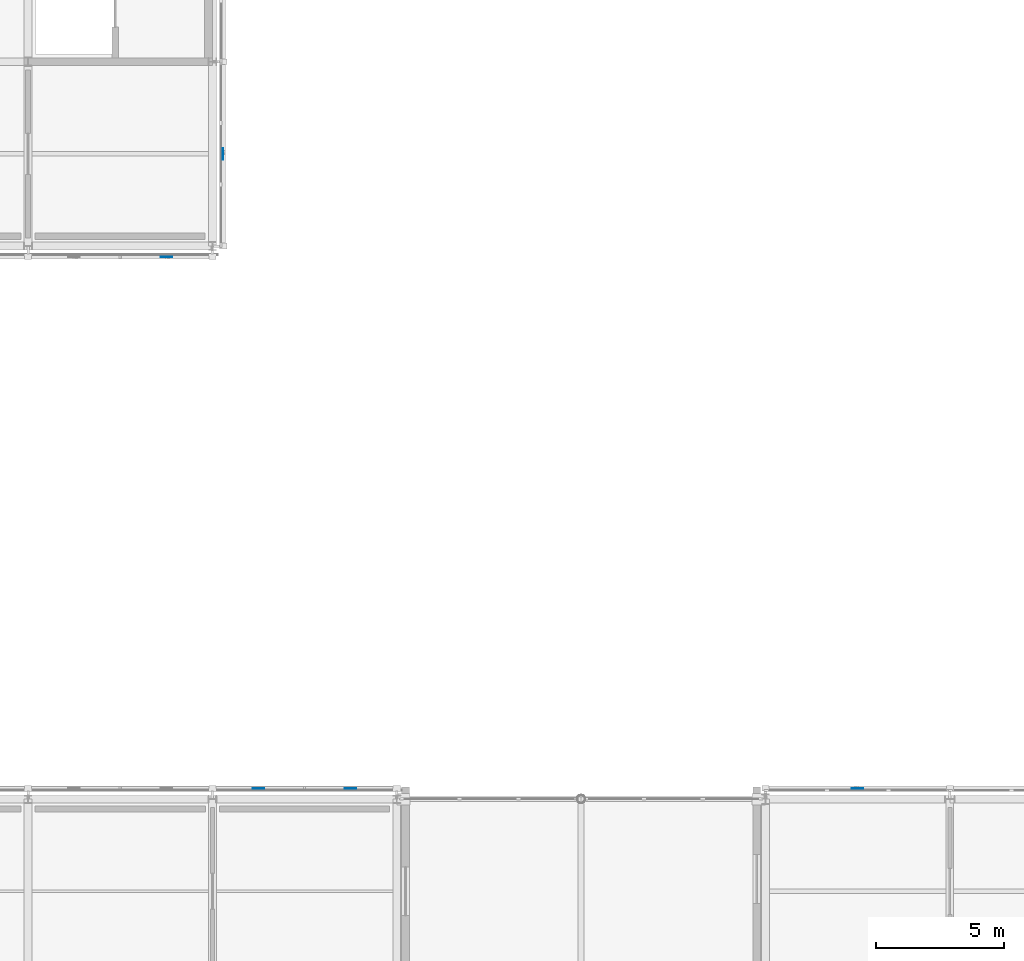
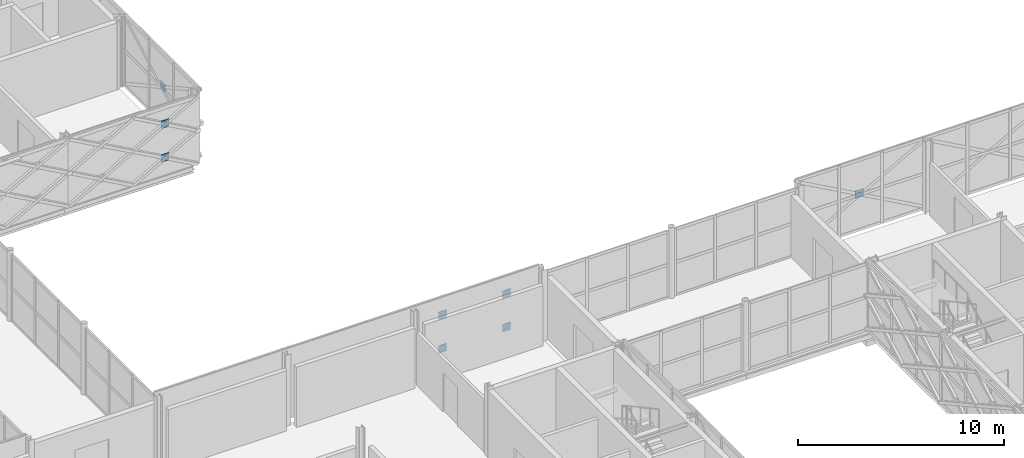
# One storey, part 101 of 146: 8 plates.
"""IFC4 building model written with IfcOpenShell, lengths in metres."""

from ifc_helpers import new_model, si_unit, direction, frame, origin, origin_2d, place, context, subcontext, project, spatial, rectangle, extrude, material, layer, layer_set, type_object, element, save


model = new_model("IFC4")

# Units and contexts
model_context = context("Model", 3, precision=1e-05, world=origin(), true_north=direction((0.0, 1.0)))
body_context = subcontext(model_context, "Body", "Model", "MODEL_VIEW")
ifc_project = project(units=[si_unit("LENGTHUNIT", "METRE"), si_unit("AREAUNIT", "SQUARE_METRE"), si_unit("VOLUMEUNIT", "CUBIC_METRE"), si_unit("PLANEANGLEUNIT", "RADIAN"), si_unit("MASSUNIT", "GRAM", prefix="KILO")], contexts=[model_context])

# Site, building, storey
site_placement = place(None, origin())
site = spatial("IfcSite", under=ifc_project, at=site_placement, CompositionType="ELEMENT")
building_placement = place(site_placement, origin())
building = spatial("IfcBuilding", under=site, at=building_placement, Name="Zlatovets Crest Museum", CompositionType="ELEMENT")
storey_placement = place(building_placement, frame((0.0, 0.0, 4.5)))
storey = spatial("IfcBuildingStorey", under=building, at=storey_placement, Name="L01", CompositionType="ELEMENT", Elevation=4.5)

# Plates
ifc_material = material(Name="Structural steel S355J2", Category="steel")
ifc_layer = layer(ifc_material, 0.02001953125)
ifc_layer_set = layer_set([ifc_layer], Name="Structural steel S355J2")
plate_type = type_object("IfcPlateType", Name="Gusset_GP-04", PredefinedType="USERDEFINED", material=ifc_layer_set)
for number, where, z_axis, x_axis, name in (
    (1, (61.199951171875, 29.219970703125, 1.875), (0.0, 0.0, 1.0), (1.0, 0.0, 0.0), "X-Brace Crossing Node Gusset Plate GP-04"),
    (2, (41.39990234375, 29.219970703125, 0.875), (0.0, 0.0, 1.0), (1.0, 0.0, 0.0), "X-Brace Crossing Node Gusset Plate GP-04"),
    (3, (37.800048828125, 29.219970703125, 0.875), (0.0, 0.0, 1.0), (1.0, 0.0, 0.0), "X-Brace Crossing Node Gusset Plate GP-04"),
    (4, (41.39990234375, 29.219970703125, 2.875), (0.0, 0.0, 1.0), (1.0, 0.0, 0.0), "X-Brace Crossing Node Gusset Plate GP-04"),
    (5, (37.800048828125, 29.219970703125, 2.875), (0.0, 0.0, 1.0), (1.0, 0.0, 0.0), "X-Brace Crossing Node Gusset Plate GP-04"),
    (6, (34.199951171875, 49.97998046875, 0.875), (0.0, 0.0, 1.0), (1.0, 0.0, 0.0), "X-Brace Crossing Node Gusset Plate GP-04"),
    (7, (34.199951171875, 49.97998046875, 2.875), (0.0, 0.0, 1.0), (1.0, 0.0, 0.0), "X-Brace Crossing Node Gusset Plate GP-04"),
):
    element("IfcPlate", number, at=place(storey_placement, frame(where, z_axis=z_axis, x_axis=x_axis)), inside=storey, type_object=plate_type, Name=name, ObjectType="GUSSET", PredefinedType="USERDEFINED", context=body_context, shape_type="SweptSolid", body=[
        extrude(rectangle(XDim=0.449951171875, YDim=0.02001953125, at=origin_2d()), origin(), (0.0, 0.0, 1.0), 0.449951171875),
    ])
plate_placement = place(storey_placement, frame((36.419921875, 54.0, 1.875), z_axis=(0.0, 0.0, 1.0), x_axis=(1.0, 0.0, 0.0)))
element("IfcPlate", 8, at=plate_placement, inside=storey, type_object=plate_type, Name="X-Brace Crossing Node Gusset Plate GP-04", ObjectType="GUSSET", PredefinedType="USERDEFINED", context=body_context, shape_type="SweptSolid", body=[
    extrude(rectangle(XDim=0.02001953125, YDim=0.449951171875, at=origin_2d()), origin(), (0.0, 0.0, 1.0), 0.449951171875),
])

save(model, "model.ifc")
